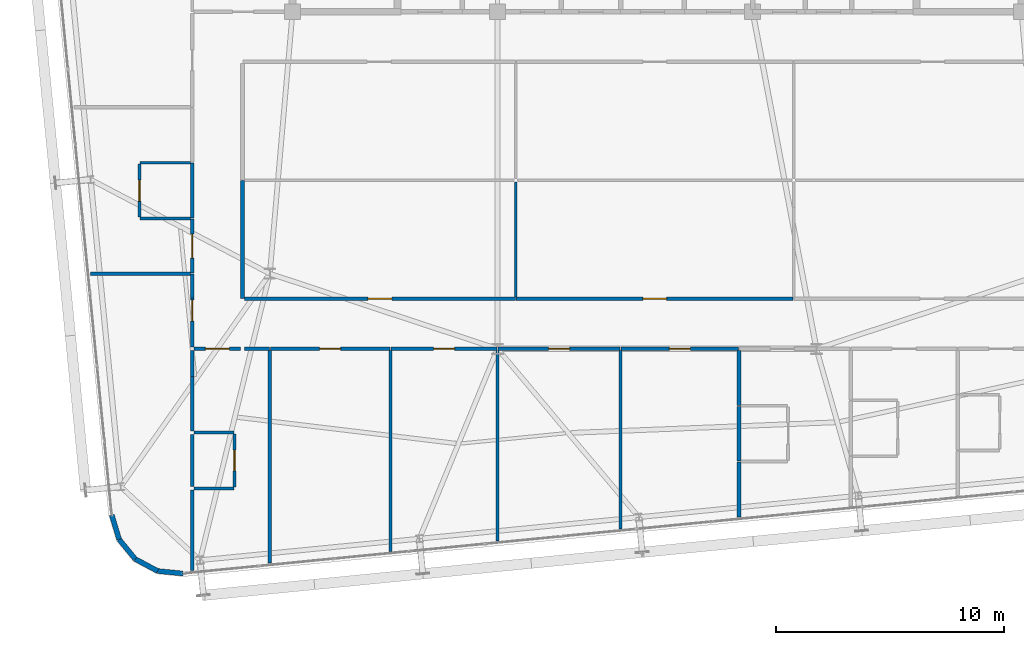
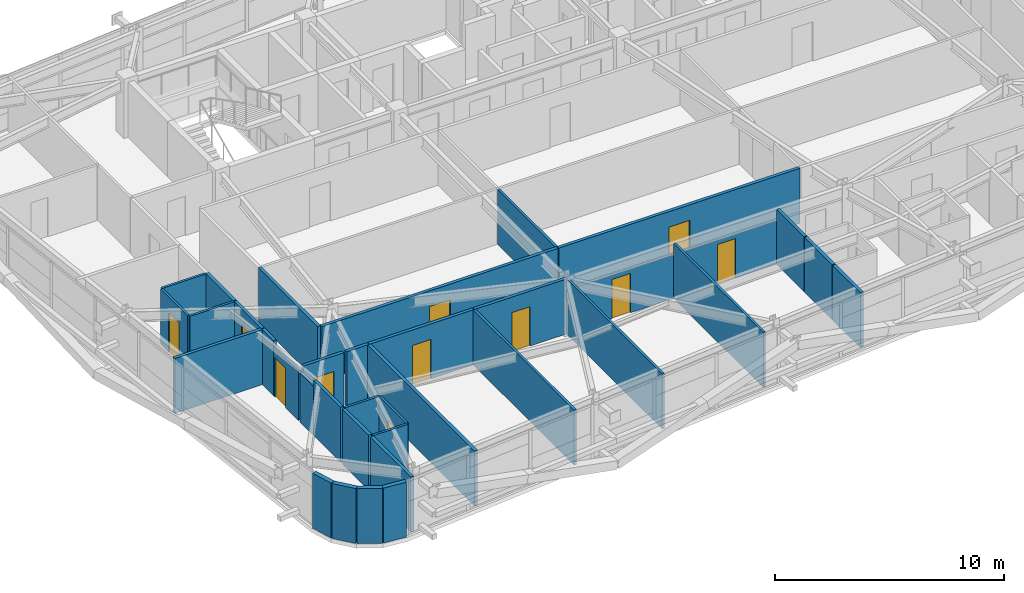
# One storey, part 46 of 54: 36 walls, 11 doors, 11 openings.
"""IFC4 building model written with IfcOpenShell, lengths in metres."""

from ifc_helpers import new_model, si_unit, direction, frame, frame_2d, origin, place, context, subcontext, project, spatial, rectangle, extrude, source, transform, mapped, material, layer, layer_set, type_object, element, fill, save


model = new_model("IFC4")

# Units and contexts
model_context = context("Model", 3, precision=1e-05, world=origin(), true_north=direction((0.0, 1.0)))
body_context = subcontext(model_context, "Body", "Model", "MODEL_VIEW")
ifc_project = project(units=[si_unit("LENGTHUNIT", "METRE"), si_unit("AREAUNIT", "SQUARE_METRE"), si_unit("VOLUMEUNIT", "CUBIC_METRE"), si_unit("PLANEANGLEUNIT", "RADIAN"), si_unit("MASSUNIT", "GRAM", prefix="KILO")], contexts=[model_context])

# Site, building, storey
site_placement = place(None, origin())
site = spatial("IfcSite", under=ifc_project, at=site_placement, CompositionType="ELEMENT")
building_placement = place(site_placement, origin())
building = spatial("IfcBuilding", under=site, at=building_placement, Name="Taldren Reach Tower", CompositionType="ELEMENT")
storey_placement = place(building_placement, frame((0.0, 0.0, 102.89990234375)))
storey = spatial("IfcBuildingStorey", under=building, at=storey_placement, Name="L31", CompositionType="ELEMENT", Elevation=102.89990234375)

# Walls
ifc_material_1 = material(Name="Pale Champagne Anodised Aluminium Cladding", Category="aluminium")
ifc_layer_1 = layer(ifc_material_1, 0.04, Name="Pale Champagne Anodised Aluminium Cladding", Category="aluminium")
ifc_material_2 = material(Name="Mineral Wool Acoustic Insulation", Category="insulation")
ifc_layer_2 = layer(ifc_material_2, 0.06, Name="Mineral Wool Acoustic Insulation", Category="insulation")
ifc_material_3 = material(Name="Steel Gr 350 (C350L0)", Category="steel")
ifc_layer_3 = layer(ifc_material_3, 0.12, Name="Steel Gr 350 (C350L0)", Category="steel")
ifc_layer_set_1 = layer_set([ifc_layer_1, ifc_layer_2, ifc_layer_3], Name="Pale Champagne Aluminium Cladding and Steel Gr 350 Stud Framing")
wall_type_1 = type_object("IfcWallType", Name="EW-CRN-220", PredefinedType="SOLIDWALL", material=ifc_layer_set_1)
shared_shape_1 = source(origin(), body_context, "Body", "SweptSolid", [
    extrude(rectangle(XDim=1.115966796875, YDim=0.219970703125, at=frame_2d((0.55810546875, 0.0))), origin(), (0.0, 0.0, 1.0), 2.93017578125),
])
for number, where, z_axis, x_axis, name in (
    (1, (11.062255859375, 1.90185546875, 0.0), (0.0, 0.0, 1.0), (0.289855603468, -0.957070388811, 0.0), "Rounded-corner pale-metal facade wall L31-SW1"),
    (2, (11.3857421875, 0.833740234375, 0.0), (0.0, 0.0, 1.0), (0.633988016432, -0.773342870285, 0.0), "Rounded-corner pale-metal facade wall L31-SW2"),
    (3, (13.0771484375, -0.5556640625, 0.0), (0.0, 0.0, 1.0), (0.995142755671, -0.09844234778, 0.0), "Rounded-corner pale-metal facade wall L31-SW4"),
):
    element("IfcWall", number, at=place(storey_placement, frame(where, z_axis=z_axis, x_axis=x_axis)), inside=storey, type_object=wall_type_1, Name=name, PredefinedType="SOLIDWALL", context=body_context, shape_type="MappedRepresentation", body=[
        mapped(shared_shape_1, transform((0.0, 0.0, 0.0), scale=1.0)),
    ])
shared_shape_2 = source(origin(), body_context, "Body", "SweptSolid", [
    extrude(rectangle(XDim=1.11572265625, YDim=0.219970703125, at=frame_2d((0.557861328125, 0.0))), origin(), (0.0, 0.0, 1.0), 2.93017578125),
])
wall_1_placement = place(storey_placement, frame((12.09326171875, -0.029296875, 0.0), z_axis=(0.0, 0.0, 1.0), x_axis=(0.881746547635, -0.471723463201, 0.0)))
element("IfcWall", 4, at=wall_1_placement, inside=storey, type_object=wall_type_1, Name="Rounded-corner pale-metal facade wall L31-SW3", PredefinedType="SOLIDWALL", context=body_context, shape_type="MappedRepresentation", body=[
    mapped(shared_shape_2, transform((0.0, 0.0, 0.0), scale=1.0)),
])
ifc_material_4 = material(Name="Fire-Rated Acoustic Plasterboard Stud Wall", Category="gypsum")
ifc_layer_4 = layer(ifc_material_4, 0.159912109375)
ifc_layer_set_2 = layer_set([ifc_layer_4], Name="Fire-Rated Acoustic Plasterboard Stud Wall")
wall_type_2 = type_object("IfcWallType", Name="IW-FIRE-160", PredefinedType="PARTITIONING", material=ifc_layer_set_2)
shared_shape_3 = source(origin(), body_context, "Body", "SweptSolid", [
    extrude(rectangle(XDim=5.15966796875, YDim=0.159912109375, at=frame_2d((2.579833984375, 0.0))), origin(), (0.0, 0.0, 1.0), 2.93017578125),
])
wall_2_placement = place(storey_placement, frame((16.800048828125, 16.579833984375, 0.0), z_axis=(0.0, 0.0, 1.0), x_axis=(0.0, -1.0, 0.0)))
element("IfcWall", 5, at=wall_2_placement, inside=storey, type_object=wall_type_2, Name="Interior Partition Wall W-INT-L31-060", PredefinedType="PARTITIONING", context=body_context, shape_type="MappedRepresentation", body=[
    mapped(shared_shape_3, transform((0.0, 0.0, 0.0), scale=1.0)),
])

# Wall, opening, door
shared_shape_4 = source(origin(), body_context, "Body", "SweptSolid", [
    extrude(rectangle(XDim=12.159423828125, YDim=0.159912109375, at=frame_2d((6.07958984375, 0.0))), origin(), (0.0, 0.0, 1.0), 2.93017578125),
])
wall_3_placement = place(storey_placement, frame((28.8203125, 11.39990234375, 0.0), z_axis=(0.0, 0.0, 1.0), x_axis=(1.0, 0.0, 0.0)))
wall_3 = element("IfcWall", 6, at=wall_3_placement, inside=storey, type_object=wall_type_2, Name="Interior Partition Wall W-INT-L31-079", PredefinedType="PARTITIONING", context=body_context, shape_type="MappedRepresentation", body=[
    mapped(shared_shape_4, transform((0.0, 0.0, 0.0), scale=1.0)),
])
shared_shape_5 = source(origin(), body_context, "Body", "SweptSolid", [
    extrude(rectangle(XDim=1.050048828125, YDim=2.10009765625, at=frame_2d((0.52490234375, 1.050048828125))), frame((0.0, 0.08984375, 0.0), z_axis=(0.0, -1.0, 0.0), x_axis=(1.0, 0.0, 0.0)), (0.0, 0.0, 1.0), 0.179931640625),
])
opening_1_placement = place(wall_3_placement, frame((5.5546875, 0.0, 0.0)))
opening_1 = element("IfcOpeningElement", 7, at=opening_1_placement, cuts=wall_3, Name="Opening DF-105", PredefinedType="OPENING", context=body_context, shape_type="MappedRepresentation", body=[
    mapped(shared_shape_5, transform((0.0, 0.0, 0.0), scale=1.0)),
])
ifc_material_5 = material(Name="Fire-Rated Care and Stair Exit Door")
door_type_1 = type_object("IfcDoorType", Name="ID-FIRE-105", OperationType="NOTDEFINED", PredefinedType="DOOR", material=ifc_material_5)
shared_shape_6 = source(origin(), body_context, "Body", "SweptSolid", [
    extrude(rectangle(XDim=1.050048828125, YDim=2.10009765625, at=frame_2d((0.52490234375, 1.050048828125))), frame((0.0, 0.02490234375, 0.0), z_axis=(0.0, -1.0, 0.0), x_axis=(1.0, 0.0, 0.0)), (0.0, 0.0, 1.0), 0.050048828125),
])
door_1_placement = place(opening_1_placement, origin())
door_1 = element("IfcDoor", 8, at=door_1_placement, inside=storey, type_object=door_type_1, Name="Interior Door DR-L31-026", OperationType="SINGLE_SWING_LEFT", OverallHeight=2.10009765625, OverallWidth=1.050048828125, PredefinedType="DOOR", context=body_context, shape_type="MappedRepresentation", body=[
    mapped(shared_shape_6, transform((0.0, 0.0, 0.0), scale=1.0)),
])
fill(opening_1, door_1)

shared_shape_7 = source(origin(), body_context, "Body", "SweptSolid", [
    extrude(rectangle(XDim=2.0400390625, YDim=0.159912109375, at=frame_2d((1.02001953125, 0.0))), origin(), (0.0, 0.0, 1.0), 2.93017578125),
])
wall_4_placement = place(storey_placement, frame((16.719970703125, 9.199951171875, 0.0), z_axis=(0.0, 0.0, 1.0), x_axis=(-1.0, 0.0, 0.0)))
wall_4 = element("IfcWall", 9, at=wall_4_placement, inside=storey, type_object=wall_type_2, Name="Interior Partition Wall W-INT-L31-067", PredefinedType="PARTITIONING", context=body_context, shape_type="MappedRepresentation", body=[
    mapped(shared_shape_7, transform((0.0, 0.0, 0.0), scale=1.0)),
])
opening_2_placement = place(wall_4_placement, frame((0.4951171875, 0.0, 0.0)))
opening_2 = element("IfcOpeningElement", 10, at=opening_2_placement, cuts=wall_4, Name="Opening DF-105", PredefinedType="OPENING", context=body_context, shape_type="MappedRepresentation", body=[
    mapped(shared_shape_5, transform((0.0, 0.0, 0.0), scale=1.0)),
])
door_2_placement = place(opening_2_placement, origin())
door_2 = element("IfcDoor", 11, at=door_2_placement, inside=storey, type_object=door_type_1, Name="Interior Door DR-L31-017", OperationType="SINGLE_SWING_RIGHT", OverallHeight=2.10009765625, OverallWidth=1.050048828125, PredefinedType="DOOR", context=body_context, shape_type="MappedRepresentation", body=[
    mapped(shared_shape_6, transform((0.0, 0.0, 0.0), scale=1.0)),
])
fill(opening_2, door_2)

# Walls
shared_shape_8 = source(origin(), body_context, "Body", "SweptSolid", [
    extrude(rectangle(XDim=1.099853515625, YDim=0.159912109375, at=frame_2d((0.5498046875, 0.0))), origin(), (0.0, 0.0, 1.0), 2.93017578125),
])
wall_5_placement = place(storey_placement, frame((17.979736328125, 9.199951171875, 0.0), z_axis=(0.0, 0.0, 1.0), x_axis=(-1.0, 0.0, 0.0)))
element("IfcWall", 12, at=wall_5_placement, inside=storey, type_object=wall_type_2, Name="Interior Partition Wall W-INT-L31-081", PredefinedType="PARTITIONING", context=body_context, shape_type="MappedRepresentation", body=[
    mapped(shared_shape_8, transform((0.0, 0.0, 0.0), scale=1.0)),
])
ifc_material_6 = material(Name="Insulated Residential Stud Partition", Category="gypsum")
ifc_layer_5 = layer(ifc_material_6, 0.1201171875)
ifc_layer_set_3 = layer_set([ifc_layer_5], Name="Insulated Residential Stud Partition")
wall_type_3 = type_object("IfcWallType", Name="IW-PART-120", PredefinedType="PARTITIONING", material=ifc_layer_set_3)
shared_shape_9 = source(origin(), body_context, "Body", "SweptSolid", [
    extrude(rectangle(XDim=5.0400390625, YDim=0.1201171875, at=frame_2d((2.52001953125, 0.0))), origin(), (0.0, 0.0, 1.0), 2.93017578125),
])
wall_6_placement = place(storey_placement, frame((28.800048828125, 16.52001953125, 0.0), z_axis=(0.0, 0.0, 1.0), x_axis=(0.0, -1.0, 0.0)))
element("IfcWall", 13, at=wall_6_placement, inside=storey, type_object=wall_type_3, Name="Interior Partition Wall W-INT-L31-091", PredefinedType="PARTITIONING", context=body_context, shape_type="MappedRepresentation", body=[
    mapped(shared_shape_9, transform((0.0, 0.0, 0.0), scale=1.0)),
])

# Wall, opening, door
shared_shape_10 = source(origin(), body_context, "Body", "SweptSolid", [
    extrude(rectangle(XDim=2.330078125, YDim=0.1201171875, at=frame_2d((1.1650390625, 0.0))), origin(), (0.0, 0.0, 1.0), 2.93017578125),
])
wall_7_placement = place(storey_placement, frame((16.449951171875, 3.131591796875, 0.0), z_axis=(0.0, 0.0, 1.0), x_axis=(0.0, 1.0, 0.0)))
wall_7 = element("IfcWall", 14, at=wall_7_placement, inside=storey, type_object=wall_type_3, Name="Interior Partition Wall W-INT-L31-097", PredefinedType="PARTITIONING", context=body_context, shape_type="MappedRepresentation", body=[
    mapped(shared_shape_10, transform((0.0, 0.0, 0.0), scale=1.0)),
])
shared_shape_11 = source(origin(), body_context, "Body", "SweptSolid", [
    extrude(rectangle(XDim=0.919921875, YDim=2.10009765625, at=frame_2d((0.4599609375, 1.050048828125))), frame((0.0, 0.070068359375, 0.0), z_axis=(0.0, -1.0, 0.0), x_axis=(1.0, 0.0, 0.0)), (0.0, 0.0, 1.0), 0.14013671875),
])
opening_3_placement = place(wall_7_placement, frame((0.705078125, 0.0, 0.0)))
opening_3 = element("IfcOpeningElement", 15, at=opening_3_placement, cuts=wall_7, Name="Opening DI-092", PredefinedType="OPENING", context=body_context, shape_type="MappedRepresentation", body=[
    mapped(shared_shape_11, transform((0.0, 0.0, 0.0), scale=1.0)),
])
ifc_material_7 = material(Name="Solid-Core Timber Suite Door", Category="wood")
door_type_2 = type_object("IfcDoorType", Name="ID-INT-092", OperationType="NOTDEFINED", PredefinedType="DOOR", material=ifc_material_7)
shared_shape_12 = source(origin(), body_context, "Body", "SweptSolid", [
    extrude(rectangle(XDim=0.919921875, YDim=2.10009765625, at=frame_2d((0.4599609375, 1.050048828125))), frame((0.0, 0.02490234375, 0.0), z_axis=(0.0, -1.0, 0.0), x_axis=(1.0, 0.0, 0.0)), (0.0, 0.0, 1.0), 0.050048828125),
])
door_3_placement = place(opening_3_placement, origin())
door_3 = element("IfcDoor", 16, at=door_3_placement, inside=storey, type_object=door_type_2, Name="Interior Door DR-L31-035", OperationType="SINGLE_SWING_RIGHT", OverallHeight=2.10009765625, OverallWidth=0.919921875, PredefinedType="DOOR", context=body_context, shape_type="MappedRepresentation", body=[
    mapped(shared_shape_12, transform((0.0, 0.0, 0.0), scale=1.0)),
])
fill(opening_3, door_3)

# Walls
shared_shape_13 = source(origin(), body_context, "Body", "SweptSolid", [
    extrude(rectangle(XDim=1.749755859375, YDim=0.1201171875, at=frame_2d((0.875, 0.0))), origin(), (0.0, 0.0, 1.0), 2.93017578125),
])
for number, where, z_axis, x_axis, name in (
    (17, (14.679931640625, 3.071533203125, 0.0), (0.0, 0.0, 1.0), (1.0, 0.0, 0.0), "Interior Partition Wall W-INT-L31-098"),
    (18, (16.4296875, 5.521484375, 0.0), (0.0, 0.0, 1.0), (-1.0, 0.0, 0.0), "Interior Partition Wall W-INT-L31-099"),
):
    element("IfcWall", number, at=place(storey_placement, frame(where, z_axis=z_axis, x_axis=x_axis)), inside=storey, type_object=wall_type_3, Name=name, PredefinedType="PARTITIONING", context=body_context, shape_type="MappedRepresentation", body=[
        mapped(shared_shape_13, transform((0.0, 0.0, 0.0), scale=1.0)),
    ])
shared_shape_14 = source(origin(), body_context, "Body", "SweptSolid", [
    extrude(rectangle(XDim=2.2900390625, YDim=0.159912109375, at=frame_2d((1.14501953125, 0.0))), origin(), (0.0, 0.0, 1.0), 2.93017578125),
])
wall_8_placement = place(storey_placement, frame((14.60009765625, 3.151611328125, 0.0), z_axis=(0.0, 0.0, 1.0), x_axis=(0.0, 1.0, 0.0)))
element("IfcWall", 19, at=wall_8_placement, inside=storey, type_object=wall_type_2, Name="Interior Partition Wall W-INT-L31-103", PredefinedType="PARTITIONING", context=body_context, shape_type="MappedRepresentation", body=[
    mapped(shared_shape_14, transform((0.0, 0.0, 0.0), scale=1.0)),
])
shared_shape_15 = source(origin(), body_context, "Body", "SweptSolid", [
    extrude(rectangle(XDim=2.40966796875, YDim=0.159912109375, at=frame_2d((1.204833984375, 0.0))), origin(), (0.0, 0.0, 1.0), 2.93017578125),
])
wall_9_placement = place(storey_placement, frame((38.60009765625, 6.677978515625, 0.0), z_axis=(0.0, 0.0, 1.0), x_axis=(0.0, -1.0, 0.0)))
element("IfcWall", 20, at=wall_9_placement, inside=storey, type_object=wall_type_2, Name="Interior Partition Wall W-INT-L31-109", PredefinedType="PARTITIONING", context=body_context, shape_type="MappedRepresentation", body=[
    mapped(shared_shape_15, transform((0.0, 0.0, 0.0), scale=1.0)),
])

# Wall, opening, door
shared_shape_16 = source(origin(), body_context, "Body", "SweptSolid", [
    extrude(rectangle(XDim=11.89990234375, YDim=0.159912109375, at=frame_2d((5.949951171875, 0.0))), origin(), (0.0, 0.0, 1.0), 2.93017578125),
])
wall_10_placement = place(storey_placement, frame((16.8798828125, 11.39990234375, 0.0), z_axis=(0.0, 0.0, 1.0), x_axis=(1.0, 0.0, 0.0)))
wall_10 = element("IfcWall", 21, at=wall_10_placement, inside=storey, type_object=wall_type_2, Name="Interior Partition Wall W-INT-L31-078", PredefinedType="PARTITIONING", context=body_context, shape_type="MappedRepresentation", body=[
    mapped(shared_shape_16, transform((0.0, 0.0, 0.0), scale=1.0)),
])
opening_4_placement = place(wall_10_placement, frame((5.4248046875, 0.0, 0.0)))
opening_4 = element("IfcOpeningElement", 22, at=opening_4_placement, cuts=wall_10, Name="Opening DF-105", PredefinedType="OPENING", context=body_context, shape_type="MappedRepresentation", body=[
    mapped(shared_shape_5, transform((0.0, 0.0, 0.0), scale=1.0)),
])
door_4_placement = place(opening_4_placement, origin())
door_4 = element("IfcDoor", 23, at=door_4_placement, inside=storey, type_object=door_type_1, Name="Interior Door DR-L31-025", OperationType="SINGLE_SWING_RIGHT", OverallHeight=2.10009765625, OverallWidth=1.050048828125, PredefinedType="DOOR", context=body_context, shape_type="MappedRepresentation", body=[
    mapped(shared_shape_6, transform((0.0, 0.0, 0.0), scale=1.0)),
])
fill(opening_4, door_4)

# Walls
shared_shape_17 = source(origin(), body_context, "Body", "SweptSolid", [
    extrude(rectangle(XDim=1.143310546875, YDim=0.159912109375, at=frame_2d((0.57177734375, 0.0))), origin(), (0.0, 0.0, 1.0), 2.623046875),
])
wall_11_placement = place(storey_placement, frame((14.60009765625, 7.974609375, 0.0), z_axis=(0.0, 0.0, 1.0), x_axis=(0.0, 1.0, 0.0)))
element("IfcWall", 24, at=wall_11_placement, inside=storey, type_object=wall_type_2, Name="Interior Partition Wall W-INT-L31-102 part 2", PredefinedType="PARTITIONING", context=body_context, shape_type="MappedRepresentation", body=[
    mapped(shared_shape_17, transform((0.0, 0.0, 0.0), scale=1.0)),
])
shared_shape_18 = source(origin(), body_context, "Body", "SweptSolid", [
    extrude(rectangle(XDim=9.3251953125, YDim=0.159912109375, at=frame_2d((4.66259765625, 0.0))), origin(), (0.0, 0.0, 1.0), 2.93017578125),
])
wall_12_placement = place(storey_placement, frame((18.0, 9.117919921875, 0.0), z_axis=(0.0, 0.0, 1.0), x_axis=(0.0, -1.0, 0.0)))
element("IfcWall", 25, at=wall_12_placement, inside=storey, type_object=wall_type_2, Name="Interior Partition Wall W-INT-L31-100", PredefinedType="PARTITIONING", context=body_context, shape_type="MappedRepresentation", body=[
    mapped(shared_shape_18, transform((0.0, 0.0, 0.0), scale=1.0)),
])
shared_shape_19 = source(origin(), body_context, "Body", "SweptSolid", [
    extrude(rectangle(XDim=3.5166015625, YDim=0.159912109375, at=frame_2d((1.75830078125, 0.0))), origin(), (0.0, 0.0, 1.0), 2.93017578125),
])
wall_13_placement = place(storey_placement, frame((14.60009765625, -0.52490234375, 0.0), z_axis=(0.0, 0.0, 1.0), x_axis=(0.0, 1.0, 0.0)))
element("IfcWall", 26, at=wall_13_placement, inside=storey, type_object=wall_type_2, Name="Interior Partition Wall W-INT-L31-101", PredefinedType="PARTITIONING", context=body_context, shape_type="MappedRepresentation", body=[
    mapped(shared_shape_19, transform((0.0, 0.0, 0.0), scale=1.0)),
])
shared_shape_20 = source(origin(), body_context, "Body", "SweptSolid", [
    extrude(rectangle(XDim=2.373046875, YDim=0.159912109375, at=frame_2d((1.1865234375, 0.0))), origin(), (0.0, 0.0, 1.0), 2.93017578125),
])
wall_14_placement = place(storey_placement, frame((14.60009765625, 5.6015625, 0.0), z_axis=(0.0, 0.0, 1.0), x_axis=(0.0, 1.0, 0.0)))
element("IfcWall", 27, at=wall_14_placement, inside=storey, type_object=wall_type_2, Name="Interior Partition Wall W-INT-L31-102", PredefinedType="PARTITIONING", context=body_context, shape_type="MappedRepresentation", body=[
    mapped(shared_shape_20, transform((0.0, 0.0, 0.0), scale=1.0)),
])
shared_shape_21 = source(origin(), body_context, "Body", "SweptSolid", [
    extrude(rectangle(XDim=2.409423828125, YDim=0.159912109375, at=frame_2d((1.20458984375, 0.0))), origin(), (0.0, 0.0, 1.0), 2.93017578125),
])
wall_15_placement = place(storey_placement, frame((14.60009765625, 14.9453125, 0.0), z_axis=(0.0, 0.0, 1.0), x_axis=(0.0, 1.0, 0.0)))
element("IfcWall", 28, at=wall_15_placement, inside=storey, type_object=wall_type_2, Name="Interior Partition Wall W-INT-L31-072", PredefinedType="PARTITIONING", context=body_context, shape_type="MappedRepresentation", body=[
    mapped(shared_shape_21, transform((0.0, 0.0, 0.0), scale=1.0)),
])

# Wall, opening, door
shared_shape_22 = source(origin(), body_context, "Body", "SweptSolid", [
    extrude(rectangle(XDim=2.329833984375, YDim=0.1201171875, at=frame_2d((1.1650390625, 0.0))), origin(), (0.0, 0.0, 1.0), 2.93017578125),
])
wall_16_placement = place(storey_placement, frame((12.279296875, 17.31494140625, 0.0), z_axis=(0.0, 0.0, 1.0), x_axis=(0.0, -1.0, 0.0)))
wall_16 = element("IfcWall", 29, at=wall_16_placement, inside=storey, type_object=wall_type_3, Name="Interior Partition Wall W-INT-L31-131", PredefinedType="PARTITIONING", context=body_context, shape_type="MappedRepresentation", body=[
    mapped(shared_shape_22, transform((0.0, 0.0, 0.0), scale=1.0)),
])
opening_5_placement = place(wall_16_placement, frame((0.705078125, 0.0, 0.0)))
opening_5 = element("IfcOpeningElement", 30, at=opening_5_placement, cuts=wall_16, Name="Opening DI-092", PredefinedType="OPENING", context=body_context, shape_type="MappedRepresentation", body=[
    mapped(shared_shape_11, transform((0.0, 0.0, 0.0), scale=1.0)),
])
door_5_placement = place(opening_5_placement, origin())
door_5 = element("IfcDoor", 31, at=door_5_placement, inside=storey, type_object=door_type_2, Name="Interior Door DR-L31-040", OperationType="SINGLE_SWING_LEFT", OverallHeight=2.10009765625, OverallWidth=0.919921875, PredefinedType="DOOR", context=body_context, shape_type="MappedRepresentation", body=[
    mapped(shared_shape_12, transform((0.0, 0.0, 0.0), scale=1.0)),
])
fill(opening_5, door_5)

shared_shape_23 = source(origin(), body_context, "Body", "SweptSolid", [
    extrude(rectangle(XDim=5.15966796875, YDim=0.159912109375, at=frame_2d((2.579833984375, 0.0))), origin(), (0.0, 0.0, 1.0), 2.328125),
])
wall_17_placement = place(storey_placement, frame((38.579833984375, 9.199951171875, 0.0), z_axis=(0.0, 0.0, 1.0), x_axis=(-1.0, 0.0, 0.0)))
wall_17 = element("IfcWall", 32, at=wall_17_placement, inside=storey, type_object=wall_type_2, Name="Interior Partition Wall W-INT-L31-085", PredefinedType="PARTITIONING", context=body_context, shape_type="MappedRepresentation", body=[
    mapped(shared_shape_23, transform((0.0, 0.0, 0.0), scale=1.0)),
])
shared_shape_24 = source(origin(), body_context, "Body", "SweptSolid", [
    extrude(rectangle(XDim=0.919921875, YDim=2.10009765625, at=frame_2d((0.4599609375, 1.050048828125))), frame((0.0, 0.08984375, 0.0), z_axis=(0.0, -1.0, 0.0), x_axis=(1.0, 0.0, 0.0)), (0.0, 0.0, 1.0), 0.179931640625),
])
opening_6_placement = place(wall_17_placement, frame((2.119873046875, 0.0, 0.0)))
opening_6 = element("IfcOpeningElement", 33, at=opening_6_placement, cuts=wall_17, Name="Opening DI-092", PredefinedType="OPENING", context=body_context, shape_type="MappedRepresentation", body=[
    mapped(shared_shape_24, transform((0.0, 0.0, 0.0), scale=1.0)),
])
door_6_placement = place(opening_6_placement, origin())
door_6 = element("IfcDoor", 34, at=door_6_placement, inside=storey, type_object=door_type_2, Name="Interior Door DR-L31-031", OperationType="SINGLE_SWING_RIGHT", OverallHeight=2.10009765625, OverallWidth=0.919921875, PredefinedType="DOOR", context=body_context, shape_type="MappedRepresentation", body=[
    mapped(shared_shape_12, transform((0.0, 0.0, 0.0), scale=1.0)),
])
fill(opening_6, door_6)

shared_shape_25 = source(origin(), body_context, "Body", "SweptSolid", [
    extrude(rectangle(XDim=2.159912109375, YDim=0.159912109375, at=frame_2d((1.080078125, 0.0))), origin(), (0.0, 0.0, 1.0), 2.623046875),
])
wall_18_placement = place(storey_placement, frame((14.60009765625, 9.280029296875, 0.0), z_axis=(0.0, 0.0, 1.0), x_axis=(0.0, 1.0, 0.0)))
wall_18 = element("IfcWall", 35, at=wall_18_placement, inside=storey, type_object=wall_type_2, Name="Interior Partition Wall W-INT-L31-069", PredefinedType="PARTITIONING", context=body_context, shape_type="MappedRepresentation", body=[
    mapped(shared_shape_25, transform((0.0, 0.0, 0.0), scale=1.0)),
])
opening_7_placement = place(wall_18_placement, frame((1.139892578125, 0.0, 0.0)))
opening_7 = element("IfcOpeningElement", 36, at=opening_7_placement, cuts=wall_18, Name="Opening DI-092", PredefinedType="OPENING", context=body_context, shape_type="MappedRepresentation", body=[
    mapped(shared_shape_24, transform((0.0, 0.0, 0.0), scale=1.0)),
])
door_7_placement = place(opening_7_placement, origin())
door_7 = element("IfcDoor", 37, at=door_7_placement, inside=storey, type_object=door_type_2, Name="Interior Door DR-L31-019", OperationType="SINGLE_SWING_RIGHT", OverallHeight=2.10009765625, OverallWidth=0.919921875, PredefinedType="DOOR", context=body_context, shape_type="MappedRepresentation", body=[
    mapped(shared_shape_12, transform((0.0, 0.0, 0.0), scale=1.0)),
])
fill(opening_7, door_7)

# Wall
shared_shape_26 = source(origin(), body_context, "Body", "SweptSolid", [
    extrude(rectangle(XDim=1.039794921875, YDim=0.159912109375, at=frame_2d((0.52001953125, 0.0))), origin(), (0.0, 0.0, 1.0), 2.93017578125),
])
wall_19_placement = place(storey_placement, frame((14.60009765625, 11.43994140625, 0.0), z_axis=(0.0, 0.0, 1.0), x_axis=(0.0, 1.0, 0.0)))
element("IfcWall", 38, at=wall_19_placement, inside=storey, type_object=wall_type_2, Name="Interior Partition Wall W-INT-L31-069 part 2", PredefinedType="PARTITIONING", context=body_context, shape_type="MappedRepresentation", body=[
    mapped(shared_shape_26, transform((0.0, 0.0, 0.0), scale=1.0)),
])

# Wall, opening, door
shared_shape_27 = source(origin(), body_context, "Body", "SweptSolid", [
    extrude(rectangle(XDim=2.384521484375, YDim=0.159912109375, at=frame_2d((1.1923828125, 0.0))), origin(), (0.0, 0.0, 1.0), 2.93017578125),
])
wall_20_placement = place(storey_placement, frame((14.60009765625, 12.520263671875, 0.0), z_axis=(0.0, 0.0, 1.0), x_axis=(0.0, 1.0, 0.0)))
wall_20 = element("IfcWall", 39, at=wall_20_placement, inside=storey, type_object=wall_type_2, Name="Interior Partition Wall W-INT-L31-070", PredefinedType="PARTITIONING", context=body_context, shape_type="MappedRepresentation", body=[
    mapped(shared_shape_27, transform((0.0, 0.0, 0.0), scale=1.0)),
])
opening_8_placement = place(wall_20_placement, frame((0.667236328125, 0.0, 0.0)))
opening_8 = element("IfcOpeningElement", 40, at=opening_8_placement, cuts=wall_20, Name="Opening DF-105", PredefinedType="OPENING", context=body_context, shape_type="MappedRepresentation", body=[
    mapped(shared_shape_5, transform((0.0, 0.0, 0.0), scale=1.0)),
])
door_8_placement = place(opening_8_placement, origin())
door_8 = element("IfcDoor", 41, at=door_8_placement, inside=storey, type_object=door_type_1, Name="Interior Door DR-L31-020", OperationType="SINGLE_SWING_LEFT", OverallHeight=2.10009765625, OverallWidth=1.050048828125, PredefinedType="DOOR", context=body_context, shape_type="MappedRepresentation", body=[
    mapped(shared_shape_6, transform((0.0, 0.0, 0.0), scale=1.0)),
])
fill(opening_8, door_8)

shared_shape_28 = source(origin(), body_context, "Body", "SweptSolid", [
    extrude(rectangle(XDim=5.259521484375, YDim=0.159912109375, at=frame_2d((2.6298828125, 0.0))), origin(), (0.0, 0.0, 1.0), 2.93017578125),
])
wall_21_placement = place(storey_placement, frame((23.27978515625, 9.199951171875, 0.0), z_axis=(0.0, 0.0, 1.0), x_axis=(-1.0, 0.0, 0.0)))
wall_21 = element("IfcWall", 42, at=wall_21_placement, inside=storey, type_object=wall_type_2, Name="Interior Partition Wall W-INT-L31-082", PredefinedType="PARTITIONING", context=body_context, shape_type="MappedRepresentation", body=[
    mapped(shared_shape_28, transform((0.0, 0.0, 0.0), scale=1.0)),
])
opening_9_placement = place(wall_21_placement, frame((2.169921875, 0.0, 0.0)))
opening_9 = element("IfcOpeningElement", 43, at=opening_9_placement, cuts=wall_21, Name="Opening DI-092", PredefinedType="OPENING", context=body_context, shape_type="MappedRepresentation", body=[
    mapped(shared_shape_24, transform((0.0, 0.0, 0.0), scale=1.0)),
])
door_9_placement = place(opening_9_placement, origin())
door_9 = element("IfcDoor", 44, at=door_9_placement, inside=storey, type_object=door_type_2, Name="Interior Door DR-L31-028", OperationType="SINGLE_SWING_LEFT", OverallHeight=2.10009765625, OverallWidth=0.919921875, PredefinedType="DOOR", context=body_context, shape_type="MappedRepresentation", body=[
    mapped(shared_shape_12, transform((0.0, 0.0, 0.0), scale=1.0)),
])
fill(opening_9, door_9)

shared_shape_29 = source(origin(), body_context, "Body", "SweptSolid", [
    extrude(rectangle(XDim=4.659423828125, YDim=0.159912109375, at=frame_2d((2.32958984375, 0.0))), origin(), (0.0, 0.0, 1.0), 2.93017578125),
])
wall_22_placement = place(storey_placement, frame((27.979736328125, 9.199951171875, 0.0), z_axis=(0.0, 0.0, 1.0), x_axis=(-1.0, 0.0, 0.0)))
wall_22 = element("IfcWall", 45, at=wall_22_placement, inside=storey, type_object=wall_type_2, Name="Interior Partition Wall W-INT-L31-083", PredefinedType="PARTITIONING", context=body_context, shape_type="MappedRepresentation", body=[
    mapped(shared_shape_29, transform((0.0, 0.0, 0.0), scale=1.0)),
])
opening_10_placement = place(wall_22_placement, frame((1.869873046875, 0.0, 0.0)))
opening_10 = element("IfcOpeningElement", 46, at=opening_10_placement, cuts=wall_22, Name="Opening DI-092", PredefinedType="OPENING", context=body_context, shape_type="MappedRepresentation", body=[
    mapped(shared_shape_24, transform((0.0, 0.0, 0.0), scale=1.0)),
])
door_10_placement = place(opening_10_placement, origin())
door_10 = element("IfcDoor", 47, at=door_10_placement, inside=storey, type_object=door_type_2, Name="Interior Door DR-L31-029", OperationType="SINGLE_SWING_RIGHT", OverallHeight=2.10009765625, OverallWidth=0.919921875, PredefinedType="DOOR", context=body_context, shape_type="MappedRepresentation", body=[
    mapped(shared_shape_12, transform((0.0, 0.0, 0.0), scale=1.0)),
])
fill(opening_10, door_10)

shared_shape_30 = source(origin(), body_context, "Body", "SweptSolid", [
    extrude(rectangle(XDim=5.359619140625, YDim=0.159912109375, at=frame_2d((2.6796875, 0.0))), origin(), (0.0, 0.0, 1.0), 2.328125),
])
wall_23_placement = place(storey_placement, frame((33.3798828125, 9.199951171875, 0.0), z_axis=(0.0, 0.0, 1.0), x_axis=(-1.0, 0.0, 0.0)))
wall_23 = element("IfcWall", 48, at=wall_23_placement, inside=storey, type_object=wall_type_2, Name="Interior Partition Wall W-INT-L31-084", PredefinedType="PARTITIONING", context=body_context, shape_type="MappedRepresentation", body=[
    mapped(shared_shape_30, transform((0.0, 0.0, 0.0), scale=1.0)),
])
opening_11_placement = place(wall_23_placement, frame((2.2197265625, 0.0, 0.0)))
opening_11 = element("IfcOpeningElement", 49, at=opening_11_placement, cuts=wall_23, Name="Opening DI-092", PredefinedType="OPENING", context=body_context, shape_type="MappedRepresentation", body=[
    mapped(shared_shape_24, transform((0.0, 0.0, 0.0), scale=1.0)),
])
door_11_placement = place(opening_11_placement, origin())
door_11 = element("IfcDoor", 50, at=door_11_placement, inside=storey, type_object=door_type_2, Name="Interior Door DR-L31-030", OperationType="SINGLE_SWING_LEFT", OverallHeight=2.10009765625, OverallWidth=0.919921875, PredefinedType="DOOR", context=body_context, shape_type="MappedRepresentation", body=[
    mapped(shared_shape_12, transform((0.0, 0.0, 0.0), scale=1.0)),
])
fill(opening_11, door_11)

# Walls
shared_shape_31 = source(origin(), body_context, "Body", "SweptSolid", [
    extrude(rectangle(XDim=8.8095703125, YDim=0.1201171875, at=frame_2d((4.40478515625, 0.0))), origin(), (0.0, 0.0, 1.0), 2.93017578125),
])
wall_24_placement = place(storey_placement, frame((23.300048828125, 9.1201171875, 0.0), z_axis=(0.0, 0.0, 1.0), x_axis=(0.0, -1.0, 0.0)))
element("IfcWall", 51, at=wall_24_placement, inside=storey, type_object=wall_type_3, Name="Interior Partition Wall W-INT-L31-104", PredefinedType="PARTITIONING", context=body_context, shape_type="MappedRepresentation", body=[
    mapped(shared_shape_31, transform((0.0, 0.0, 0.0), scale=1.0)),
])
shared_shape_32 = source(origin(), body_context, "Body", "SweptSolid", [
    extrude(rectangle(XDim=8.3486328125, YDim=0.1201171875, at=frame_2d((4.17431640625, 0.0))), origin(), (0.0, 0.0, 1.0), 2.93017578125),
])
wall_25_placement = place(storey_placement, frame((28.0, 9.1201171875, 0.0), z_axis=(0.0, 0.0, 1.0), x_axis=(0.0, -1.0, 0.0)))
element("IfcWall", 52, at=wall_25_placement, inside=storey, type_object=wall_type_3, Name="Interior Partition Wall W-INT-L31-105", PredefinedType="PARTITIONING", context=body_context, shape_type="MappedRepresentation", body=[
    mapped(shared_shape_32, transform((0.0, 0.0, 0.0), scale=1.0)),
])
shared_shape_33 = source(origin(), body_context, "Body", "SweptSolid", [
    extrude(rectangle(XDim=7.8193359375, YDim=0.1201171875, at=frame_2d((3.90966796875, 0.0))), origin(), (0.0, 0.0, 1.0), 2.93017578125),
])
wall_26_placement = place(storey_placement, frame((33.39990234375, 9.1201171875, 0.0), z_axis=(0.0, 0.0, 1.0), x_axis=(0.0, -1.0, 0.0)))
element("IfcWall", 53, at=wall_26_placement, inside=storey, type_object=wall_type_3, Name="Interior Partition Wall W-INT-L31-106", PredefinedType="PARTITIONING", context=body_context, shape_type="MappedRepresentation", body=[
    mapped(shared_shape_33, transform((0.0, 0.0, 0.0), scale=1.0)),
])
shared_shape_34 = source(origin(), body_context, "Body", "SweptSolid", [
    extrude(rectangle(XDim=2.417236328125, YDim=0.159912109375, at=frame_2d((1.20849609375, 0.0))), origin(), (0.0, 0.0, 1.0), 2.93017578125),
])
wall_27_placement = place(storey_placement, frame((38.60009765625, 4.22802734375, 0.0), z_axis=(0.0, 0.0, 1.0), x_axis=(0.0, -1.0, 0.0)))
element("IfcWall", 54, at=wall_27_placement, inside=storey, type_object=wall_type_2, Name="Interior Partition Wall W-INT-L31-107", PredefinedType="PARTITIONING", context=body_context, shape_type="MappedRepresentation", body=[
    mapped(shared_shape_34, transform((0.0, 0.0, 0.0), scale=1.0)),
])
shared_shape_35 = source(origin(), body_context, "Body", "SweptSolid", [
    extrude(rectangle(XDim=2.401611328125, YDim=0.159912109375, at=frame_2d((1.20068359375, 0.0))), origin(), (0.0, 0.0, 1.0), 2.93017578125),
])
wall_28_placement = place(storey_placement, frame((38.60009765625, 9.1201171875, 0.0), z_axis=(0.0, 0.0, 1.0), x_axis=(0.0, -1.0, 0.0)))
element("IfcWall", 55, at=wall_28_placement, inside=storey, type_object=wall_type_2, Name="Interior Partition Wall W-INT-L31-108", PredefinedType="PARTITIONING", context=body_context, shape_type="MappedRepresentation", body=[
    mapped(shared_shape_35, transform((0.0, 0.0, 0.0), scale=1.0)),
])
shared_shape_36 = source(origin(), body_context, "Body", "SweptSolid", [
    extrude(rectangle(XDim=4.398681640625, YDim=0.159912109375, at=frame_2d((2.19921875, 0.0))), origin(), (0.0, 0.0, 1.0), 2.93017578125),
])
wall_29_placement = place(storey_placement, frame((10.121337890625, 12.5, 0.0), z_axis=(0.0, 0.0, 1.0), x_axis=(1.0, 0.0, 0.0)))
element("IfcWall", 56, at=wall_29_placement, inside=storey, type_object=wall_type_2, Name="Interior Partition Wall W-INT-L31-130", PredefinedType="PARTITIONING", context=body_context, shape_type="MappedRepresentation", body=[
    mapped(shared_shape_36, transform((0.0, 0.0, 0.0), scale=1.0)),
])
shared_shape_37 = source(origin(), body_context, "Body", "SweptSolid", [
    extrude(rectangle(XDim=2.220703125, YDim=0.1201171875, at=frame_2d((1.1103515625, 0.0))), origin(), (0.0, 0.0, 1.0), 2.93017578125),
])
for number, where, z_axis, x_axis, name in (
    (57, (14.52001953125, 17.375, 0.0), (0.0, 0.0, 1.0), (-1.0, 0.0, 0.0), "Interior Partition Wall W-INT-L31-132"),
    (58, (12.29931640625, 14.925048828125, 0.0), (0.0, 0.0, 1.0), (1.0, 0.0, 0.0), "Interior Partition Wall W-INT-L31-133"),
):
    element("IfcWall", number, at=place(storey_placement, frame(where, z_axis=z_axis, x_axis=x_axis)), inside=storey, type_object=wall_type_3, Name=name, PredefinedType="PARTITIONING", context=body_context, shape_type="MappedRepresentation", body=[
        mapped(shared_shape_37, transform((0.0, 0.0, 0.0), scale=1.0)),
    ])

save(model, "model.ifc")
